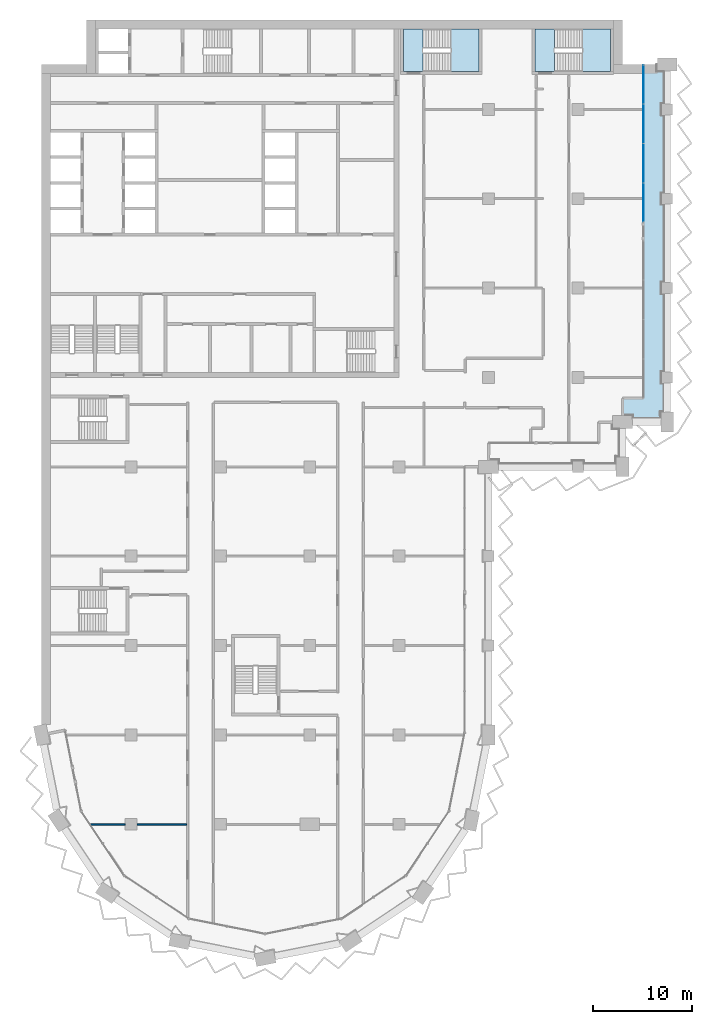
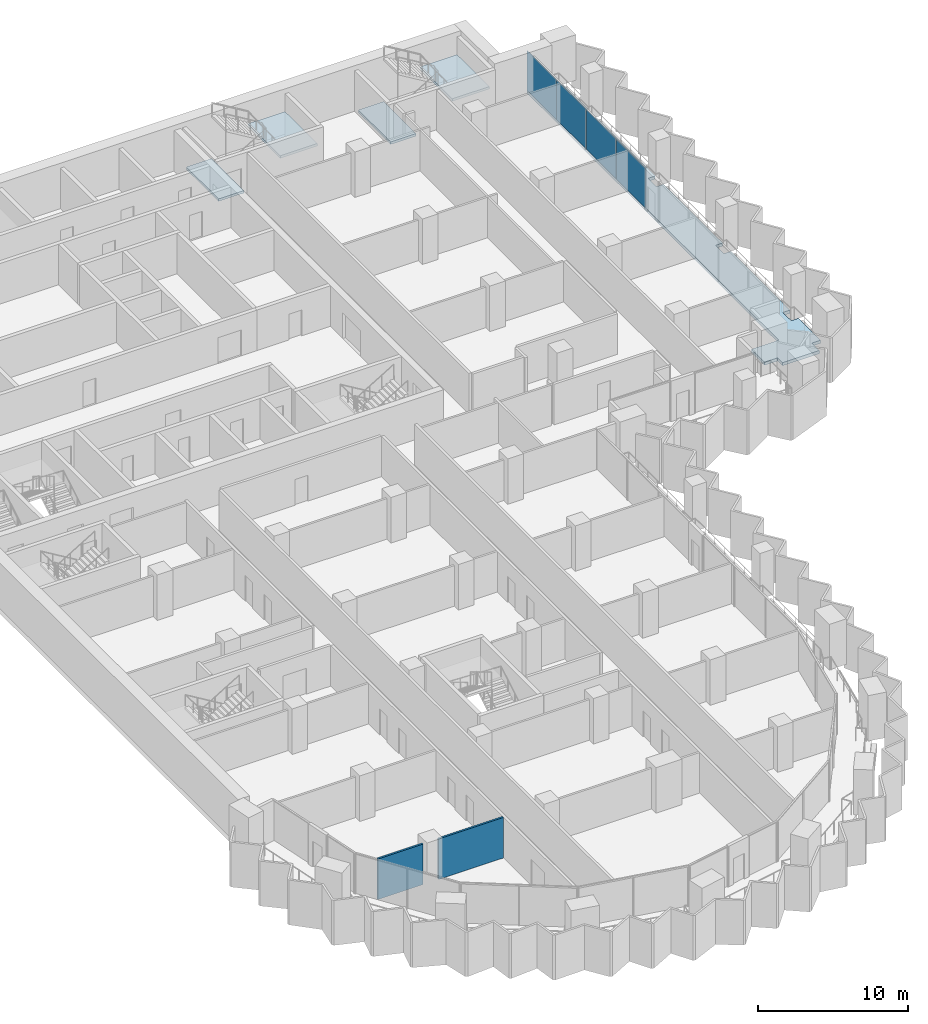
# One storey, part 7 of 22: 5 slabs, 4 plates, 2 walls, 3 elements without a shape of their own.
"""IFC4 building model written with IfcOpenShell, lengths in metres."""

from ifc_helpers import new_model, si_unit, direction, frame, frame_2d, origin, origin_2d, place, context, subcontext, project, spatial, polyline, rectangle, outline, extrude, material, layer, layer_set, type_object, element, aggregate, save


model = new_model("IFC4")

# Units and contexts
model_context = context("Model", 3, precision=1e-05, world=origin(), true_north=direction((0.0, 1.0)))
body_context = subcontext(model_context, "Body", "Model", "MODEL_VIEW")
ifc_project = project(units=[si_unit("LENGTHUNIT", "METRE"), si_unit("AREAUNIT", "SQUARE_METRE"), si_unit("VOLUMEUNIT", "CUBIC_METRE"), si_unit("PLANEANGLEUNIT", "RADIAN"), si_unit("MASSUNIT", "GRAM", prefix="KILO")], contexts=[model_context])

# Site, building, storey
site_placement = place(None, origin())
site = spatial("IfcSite", under=ifc_project, at=site_placement, CompositionType="ELEMENT")
building_placement = place(site_placement, origin())
building = spatial("IfcBuilding", under=site, at=building_placement, Name="Hunhe Ridgeline Campus", CompositionType="ELEMENT")
storey_placement = place(building_placement, frame((0.0, 0.0, 159.699951171875)))
storey = spatial("IfcBuildingStorey", under=building, at=storey_placement, Name="L40", CompositionType="ELEMENT", Elevation=159.699951171875)

# Curtain wall, plates
ifc_material_1 = material(Name="Aluminium 6063", Category="aluminium")
curtain_wall_type = type_object("IfcCurtainWallType", Name="Curtain wall CW-1", PredefinedType="NOTDEFINED", material=ifc_material_1)
curtain_wall_placement = place(storey_placement, origin())
curtain_wall = element("IfcCurtainWall", 1, at=curtain_wall_placement, inside=storey, type_object=curtain_wall_type, Name="Curtain wall 16", PredefinedType="NOTDEFINED")
ifc_material_2 = material(Name="Low-e laminated glass", Category="glass")
ifc_layer_1 = layer(ifc_material_2, 0.028076171875)
ifc_layer_set_1 = layer_set([ifc_layer_1], Name="Curtain wall glass panel 28 low-e laminated")
plate_type = type_object("IfcPlateType", Name="Curtain wall glass panel 28 low-e laminated", PredefinedType="CURTAIN_PANEL", material=ifc_layer_set_1)
plate_1_placement = place(storey_placement, frame((60.59912109375, 80.60302734375, 0.0), z_axis=(0.0, 0.0, 1.0), x_axis=(0.0, 1.0, 0.0)))
plate_1 = element("IfcPlate", 2, at=plate_1_placement, type_object=plate_type, Name="CW-1 panel 1", PredefinedType="CURTAIN_PANEL", context=body_context, shape_type="SweptSolid", body=[
    extrude(rectangle(XDim=3.884765625, YDim=0.028076171875, at=origin_2d()), origin(), (0.0, 0.0, 1.0), 3.239990234375),
])
plate_2_placement = place(storey_placement, frame((60.59912109375, 84.562744140625, 0.0), z_axis=(0.0, 0.0, 1.0), x_axis=(0.0, 1.0, 0.0)))
plate_2 = element("IfcPlate", 3, at=plate_2_placement, type_object=plate_type, Name="CW-1 panel 2", PredefinedType="CURTAIN_PANEL", context=body_context, shape_type="SweptSolid", body=[
    extrude(rectangle(XDim=3.914794921875, YDim=0.028076171875, at=origin_2d()), origin(), (0.0, 0.0, 1.0), 3.239990234375),
])
plate_3_placement = place(storey_placement, frame((60.59912109375, 88.53759765625, 0.0), z_axis=(0.0, 0.0, 1.0), x_axis=(0.0, 1.0, 0.0)))
plate_3 = element("IfcPlate", 4, at=plate_3_placement, type_object=plate_type, Name="CW-1 panel 3", PredefinedType="CURTAIN_PANEL", context=body_context, shape_type="SweptSolid", body=[
    extrude(rectangle(XDim=3.914794921875, YDim=0.028076171875, at=origin_2d()), origin(), (0.0, 0.0, 1.0), 3.239990234375),
])
plate_4_placement = place(storey_placement, frame((60.59912109375, 92.49755859375, 0.0), z_axis=(0.0, 0.0, 1.0), x_axis=(0.0, 1.0, 0.0)))
plate_4 = element("IfcPlate", 5, at=plate_4_placement, type_object=plate_type, Name="CW-1 panel 4", PredefinedType="CURTAIN_PANEL", context=body_context, shape_type="SweptSolid", body=[
    extrude(rectangle(XDim=3.884765625, YDim=0.028076171875, at=origin_2d()), origin(), (0.0, 0.0, 1.0), 3.239990234375),
])
aggregate(curtain_wall, [plate_1, plate_2, plate_3, plate_4])

# Slab
ifc_material_3 = material(Name="Concrete C40", Category="concrete")
ifc_layer_2 = layer(ifc_material_3, 0.25)
ifc_layer_set_2 = layer_set([ifc_layer_2], Name="Loggia slab 250 Concrete C40")
slab_type_1 = type_object("IfcSlabType", Name="Loggia slab 250 Concrete C40", PredefinedType="FLOOR", material=ifc_layer_set_2)
slab_1_placement = place(storey_placement, frame((0.0, 0.0, -0.25)))
element("IfcSlab", 6, at=slab_1_placement, inside=storey, type_object=slab_type_1, Name="Loggia slab 3", PredefinedType="FLOOR", context=body_context, shape_type="SweptSolid", body=[
    extrude(outline(polyline([(58.5, 59.14990234375), (59.5, 59.14990234375), (59.5, 58.5), (62.35009765625, 58.5), (62.35009765625, 59.5), (63.0, 59.5), (63.0, 62.449951171875), (62.449951171875, 62.449951171875), (62.449951171875, 63.550048828125), (63.0, 63.550048828125), (63.0, 71.449951171875), (62.449951171875, 71.449951171875), (62.449951171875, 72.550048828125), (63.0, 72.550048828125), (63.0, 80.449951171875), (62.449951171875, 80.449951171875), (62.449951171875, 81.550048828125), (63.0, 81.550048828125), (63.0, 89.449951171875), (62.449951171875, 89.449951171875), (62.449951171875, 90.550048828125), (63.0, 90.550048828125), (63.0, 93.85009765625), (62.0, 93.85009765625), (62.0, 94.5), (60.60009765625, 94.5), (60.60009765625, 60.89990234375), (58.5, 60.89990234375), (58.5, 59.14990234375)])), origin(), (0.0, 0.0, 1.0), 0.25),
])

# Stair, slab
stair_type = type_object("IfcStairType", Name="Reinforced concrete dog-leg stair 1950 Concrete C40", PredefinedType="HALF_TURN_STAIR", material=ifc_material_3)
stair_1_placement = place(storey_placement, origin())
stair_1 = element("IfcStair", 7, at=stair_1_placement, inside=storey, type_object=stair_type, Name="L40 E1", PredefinedType="HALF_TURN_STAIR")
ifc_layer_3 = layer(ifc_material_3, 0.199951171875)
ifc_layer_set_3 = layer_set([ifc_layer_3], Name="Reinforced concrete stair landing 200 Concrete C40")
slab_type_2 = type_object("IfcSlabType", Name="Reinforced concrete stair landing 200 Concrete C40", PredefinedType="LANDING", material=ifc_layer_set_3)
slab_2_placement = place(storey_placement, frame((0.0, 0.0, 1.650146484375)))
slab_2 = element("IfcSlab", 8, at=slab_2_placement, type_object=slab_type_2, Name="ST5 landing 1", PredefinedType="LANDING", context=body_context, shape_type="SweptSolid", body=[
    extrude(outline(polyline([(41.199951171875, 93.800048828125), (44.050048828125, 93.800048828125), (44.050048828125, 98.10009765625), (41.199951171875, 98.10009765625), (41.199951171875, 93.800048828125)])), origin(), (0.0, 0.0, 1.0), 0.199951171875),
])
aggregate(stair_1, [slab_2])

# Slab
slab_3_placement = place(storey_placement, frame((0.0, 0.0, -0.199951171875)))
element("IfcSlab", 9, at=slab_3_placement, inside=storey, type_object=slab_type_2, Name="L40 stair E1 floor landing", PredefinedType="LANDING", context=body_context, shape_type="SweptSolid", body=[
    extrude(outline(polyline([(36.449951171875, 93.800048828125), (38.39990234375, 93.800048828125), (38.39990234375, 98.10009765625), (36.449951171875, 98.10009765625), (36.449951171875, 93.800048828125)])), origin(), (0.0, 0.0, 1.0), 0.199951171875),
])

# Stair, slab
stair_2_placement = place(storey_placement, origin())
stair_2 = element("IfcStair", 10, at=stair_2_placement, inside=storey, type_object=stair_type, Name="L40 E2", PredefinedType="HALF_TURN_STAIR")
slab_4_placement = place(storey_placement, frame((0.0, 0.0, 1.650146484375)))
slab_4 = element("IfcSlab", 11, at=slab_4_placement, type_object=slab_type_2, Name="ST6 landing 1", PredefinedType="LANDING", context=body_context, shape_type="SweptSolid", body=[
    extrude(outline(polyline([(54.449951171875, 93.800048828125), (57.300048828125, 93.800048828125), (57.300048828125, 98.10009765625), (54.449951171875, 98.10009765625), (54.449951171875, 93.800048828125)])), origin(), (0.0, 0.0, 1.0), 0.199951171875),
])
aggregate(stair_2, [slab_4])

# Slab
slab_5_placement = place(storey_placement, frame((0.0, 0.0, -0.199951171875)))
element("IfcSlab", 12, at=slab_5_placement, inside=storey, type_object=slab_type_2, Name="L40 stair E2 floor landing", PredefinedType="LANDING", context=body_context, shape_type="SweptSolid", body=[
    extrude(outline(polyline([(49.699951171875, 93.800048828125), (51.64990234375, 93.800048828125), (51.64990234375, 98.10009765625), (49.699951171875, 98.10009765625), (49.699951171875, 93.800048828125)])), origin(), (0.0, 0.0, 1.0), 0.199951171875),
])

# Walls
ifc_material_4 = material(Name="Gypsum board partition")
ifc_layer_4 = layer(ifc_material_4, 0.14990234375)
ifc_layer_set_4 = layer_set([ifc_layer_4], Name="Room partition 150 gypsum board on steel studs")
wall_type = type_object("IfcWallType", Name="Room partition 150 gypsum board on steel studs", PredefinedType="PARTITIONING", material=ifc_layer_set_4)
wall_1_placement = place(storey_placement, frame((4.925537109375, 18.0, 0.0), z_axis=(0.0, 0.0, 1.0), x_axis=(1.0, 0.0, 0.0)))
element("IfcWall", 13, at=wall_1_placement, inside=storey, type_object=wall_type, Name="F-L40-wall-001", PredefinedType="PARTITIONING", context=body_context, shape_type="SweptSolid", body=[
    extrude(rectangle(XDim=3.474365234375, YDim=0.14990234375, at=frame_2d((1.7373046875, 0.0))), origin(), (0.0, 0.0, 1.0), 3.300048828125),
])
wall_2_placement = place(storey_placement, frame((9.60009765625, 18.0, 0.0), z_axis=(0.0, 0.0, 1.0), x_axis=(1.0, 0.0, 0.0)))
element("IfcWall", 14, at=wall_2_placement, inside=storey, type_object=wall_type, Name="F-L40-wall-002", PredefinedType="PARTITIONING", context=body_context, shape_type="SweptSolid", body=[
    extrude(rectangle(XDim=5.0, YDim=0.14990234375, at=frame_2d((2.5, 0.0))), origin(), (0.0, 0.0, 1.0), 3.300048828125),
])

save(model, "model.ifc")
